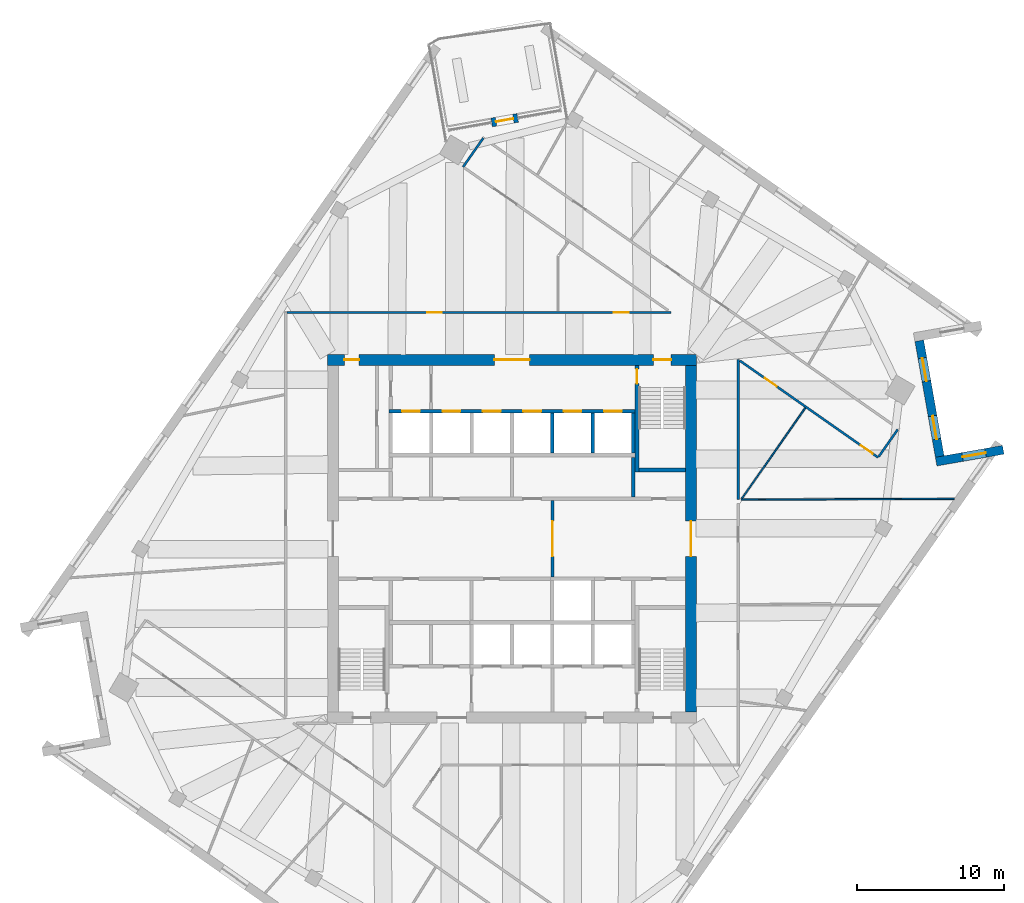
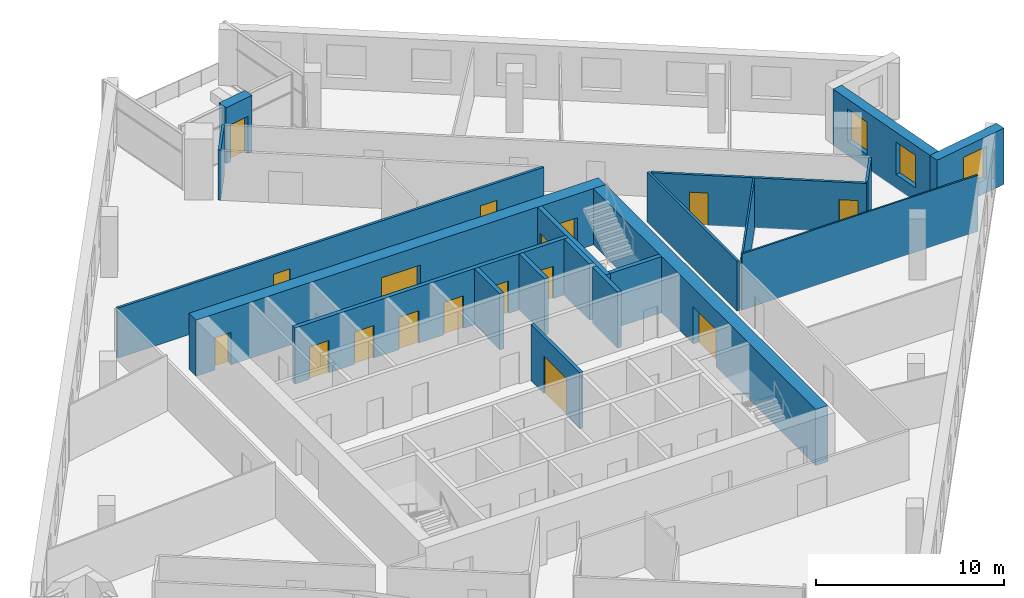
# One storey, part 10 of 13: 20 walls, 17 doors, 3 windows, 20 openings.
"""IFC4 building model written with IfcOpenShell, lengths in metres."""

from ifc_helpers import new_model, si_unit, direction, frame, frame_2d, origin, place, context, subcontext, project, spatial, rectangle, extrude, material, layer, layer_set, type_object, element, fill, save


model = new_model("IFC4")

# Units and contexts
model_context = context("Model", 3, precision=1e-05, world=origin(), true_north=direction((0.0, 1.0)))
body_context = subcontext(model_context, "Body", "Model", "MODEL_VIEW")
ifc_project = project(units=[si_unit("LENGTHUNIT", "METRE"), si_unit("AREAUNIT", "SQUARE_METRE"), si_unit("VOLUMEUNIT", "CUBIC_METRE"), si_unit("PLANEANGLEUNIT", "RADIAN"), si_unit("MASSUNIT", "GRAM", prefix="KILO")], contexts=[model_context])

# Site, building, storey
site_placement = place(None, origin())
site = spatial("IfcSite", under=ifc_project, at=site_placement, CompositionType="ELEMENT")
building_placement = place(site_placement, origin())
building = spatial("IfcBuilding", under=site, at=building_placement, Name="Dilmun Exchange Tower", CompositionType="ELEMENT")
storey_placement = place(building_placement, frame((0.0, 0.0, 246.89990234375)))
storey = spatial("IfcBuildingStorey", under=building, at=storey_placement, Name="L58", CompositionType="ELEMENT", Elevation=246.89990234375)

# Wall, opening, door
ifc_material_1 = material(Name="Concrete C40/50", Category="concrete")
ifc_layer_1 = layer(ifc_material_1, 0.199951171875)
ifc_layer_set_1 = layer_set([ifc_layer_1], Name="Concrete C40/50")
wall_type_1 = type_object("IfcWallType", Name="Core partition wall 200", PredefinedType="PARTITIONING", material=ifc_layer_set_1)
wall_1_placement = place(storey_placement, frame((2.75, -2.594970703125, 0.0), z_axis=(0.0, 0.0, 1.0), x_axis=(0.0, 1.0, 0.0)))
wall_1 = element("IfcWall", 1, at=wall_1_placement, inside=storey, type_object=wall_type_1, Name="L58 core partition wall 12", PredefinedType="PARTITIONING", context=body_context, shape_type="SweptSolid", body=[
    extrude(rectangle(XDim=5.18994140625, YDim=0.199951171875, at=frame_2d((2.594970703125, 0.0))), origin(), (0.0, 0.0, 1.0), 3.64013671875),
])
opening_1_placement = place(wall_1_placement, frame((1.39501953125, 0.0, 0.0)))
opening_1 = element("IfcOpeningElement", 2, at=opening_1_placement, cuts=wall_1, Name="Opening CD1", PredefinedType="OPENING", context=body_context, shape_type="SweptSolid", body=[
    extrude(rectangle(XDim=2.39990234375, YDim=2.39990234375, at=frame_2d((1.199951171875, 1.199951171875))), frame((0.0, 0.10986328125, 0.0), z_axis=(0.0, -1.0, 0.0), x_axis=(1.0, 0.0, 0.0)), (0.0, 0.0, 1.0), 0.219970703125),
])
ifc_material_2 = material(Name="Fire-rated steel door set", Category="steel")
door_type_1 = type_object("IfcDoorType", Name="Core lobby door 2400x2400", OperationType="DOUBLE_DOOR_DOUBLE_SWING", PredefinedType="DOOR", material=ifc_material_2)
door_1_placement = place(opening_1_placement, origin())
door_1 = element("IfcDoor", 3, at=door_1_placement, inside=storey, type_object=door_type_1, Name="L58 door Lift lobby east", OperationType="SINGLE_SWING_LEFT", OverallHeight=2.39990234375, OverallWidth=2.39990234375, PredefinedType="DOOR", context=body_context, shape_type="SweptSolid", body=[
    extrude(rectangle(XDim=2.39990234375, YDim=2.39990234375, at=frame_2d((1.199951171875, 1.199951171875))), frame((0.0, 0.02490234375, 0.0), z_axis=(0.0, -1.0, 0.0), x_axis=(1.0, 0.0, 0.0)), (0.0, 0.0, 1.0), 0.050048828125),
])
fill(opening_1, door_1)

# Wall
ifc_layer_2 = layer(ifc_material_1, 0.25)
ifc_layer_set_2 = layer_set([ifc_layer_2], Name="Concrete C40/50")
wall_type_2 = type_object("IfcWallType", Name="Core partition wall 250", PredefinedType="PARTITIONING", material=ifc_layer_set_2)
wall_2_placement = place(storey_placement, frame((8.25, 2.85498046875, 0.0), z_axis=(0.0, 0.0, 1.0), x_axis=(0.0, 1.0, 0.0)))
element("IfcWall", 4, at=wall_2_placement, inside=storey, type_object=wall_type_2, Name="L58 core partition wall 17", PredefinedType="PARTITIONING", context=body_context, shape_type="SweptSolid", body=[
    extrude(rectangle(XDim=2.68994140625, YDim=0.25, at=frame_2d((1.344970703125, 0.0))), origin(), (0.0, 0.0, 1.0), 3.64013671875),
])

# Wall, openings, doors
ifc_material_3 = material(Name="Concrete C50/60", Category="concrete")
ifc_layer_3 = layer(ifc_material_3, 0.75)
ifc_layer_set_3 = layer_set([ifc_layer_3], Name="Concrete C50/60")
wall_type_3 = type_object("IfcWallType", Name="Core shear wall 750 Concrete C50/60", PredefinedType="SHEAR", material=ifc_layer_set_3)
wall_3_placement = place(storey_placement, frame((-12.550048828125, 12.175048828125, 0.0), z_axis=(0.0, 0.0, 1.0), x_axis=(1.0, 0.0, 0.0)))
wall_3 = element("IfcWall", 5, at=wall_3_placement, inside=storey, type_object=wall_type_3, Name="L58 core shear wall N", PredefinedType="SHEAR", context=body_context, shape_type="SweptSolid", body=[
    extrude(rectangle(XDim=25.10009765625, YDim=0.75, at=frame_2d((12.550048828125, 0.0))), origin(), (0.0, 0.0, 1.0), 3.64013671875),
])
opening_2_placement = place(wall_3_placement, frame((11.35009765625, 0.0, 0.0)))
opening_2 = element("IfcOpeningElement", 6, at=opening_2_placement, cuts=wall_3, Name="Opening CD1", PredefinedType="OPENING", context=body_context, shape_type="SweptSolid", body=[
    extrude(rectangle(XDim=2.39990234375, YDim=2.39990234375, at=frame_2d((1.199951171875, 1.199951171875))), frame((0.0, 0.385009765625, 0.0), z_axis=(0.0, -1.0, 0.0), x_axis=(1.0, 0.0, 0.0)), (0.0, 0.0, 1.0), 0.77001953125),
])
opening_3_placement = place(wall_3_placement, frame((22.175048828125, 0.0, 0.0)))
opening_3 = element("IfcOpeningElement", 7, at=opening_3_placement, cuts=wall_3, Name="Opening CD3", PredefinedType="OPENING", context=body_context, shape_type="SweptSolid", body=[
    extrude(rectangle(XDim=1.199951171875, YDim=2.10009765625, at=frame_2d((0.60009765625, 1.050048828125))), frame((0.0, 0.385009765625, 0.0), z_axis=(0.0, -1.0, 0.0), x_axis=(1.0, 0.0, 0.0)), (0.0, 0.0, 1.0), 0.77001953125),
])
opening_4_placement = place(wall_3_placement, frame((1.14990234375, 0.0, 0.0)))
opening_4 = element("IfcOpeningElement", 8, at=opening_4_placement, cuts=wall_3, Name="Opening CD4", PredefinedType="OPENING", context=body_context, shape_type="SweptSolid", body=[
    extrude(rectangle(XDim=1.0, YDim=2.10009765625, at=frame_2d((0.5, 1.050048828125))), frame((0.0, 0.385009765625, 0.0), z_axis=(0.0, -1.0, 0.0), x_axis=(1.0, 0.0, 0.0)), (0.0, 0.0, 1.0), 0.77001953125),
])
door_2_placement = place(opening_2_placement, origin())
door_2 = element("IfcDoor", 9, at=door_2_placement, inside=storey, type_object=door_type_1, Name="L58 door North lift lobby", OperationType="SINGLE_SWING_LEFT", OverallHeight=2.39990234375, OverallWidth=2.39990234375, PredefinedType="DOOR", context=body_context, shape_type="SweptSolid", body=[
    extrude(rectangle(XDim=2.39990234375, YDim=2.39990234375, at=frame_2d((1.199951171875, 1.199951171875))), frame((0.0, 0.02490234375, 0.0), z_axis=(0.0, -1.0, 0.0), x_axis=(1.0, 0.0, 0.0)), (0.0, 0.0, 1.0), 0.050048828125),
])
fill(opening_2, door_2)
door_type_2 = type_object("IfcDoorType", Name="Core room door 1000x2100", OperationType="SINGLE_SWING_LEFT", PredefinedType="DOOR", material=ifc_material_2)
door_3_placement = place(opening_4_placement, origin())
door_3 = element("IfcDoor", 10, at=door_3_placement, inside=storey, type_object=door_type_2, Name="L58 door North-west core rooms", OperationType="SINGLE_SWING_LEFT", OverallHeight=2.10009765625, OverallWidth=1.0, PredefinedType="DOOR", context=body_context, shape_type="SweptSolid", body=[
    extrude(rectangle(XDim=1.0, YDim=2.10009765625, at=frame_2d((0.5, 1.050048828125))), frame((0.0, 0.02490234375, 0.0), z_axis=(0.0, -1.0, 0.0), x_axis=(1.0, 0.0, 0.0)), (0.0, 0.0, 1.0), 0.050048828125),
])
fill(opening_4, door_3)
door_type_3 = type_object("IfcDoorType", Name="Stair exit door 1200x2100", OperationType="SINGLE_SWING_LEFT", PredefinedType="DOOR", material=ifc_material_2)
door_4_placement = place(opening_3_placement, origin())
door_4 = element("IfcDoor", 11, at=door_4_placement, inside=storey, type_object=door_type_3, Name="L58 door Stair ST1", OperationType="SINGLE_SWING_LEFT", OverallHeight=2.10009765625, OverallWidth=1.199951171875, PredefinedType="DOOR", context=body_context, shape_type="SweptSolid", body=[
    extrude(rectangle(XDim=1.199951171875, YDim=2.10009765625, at=frame_2d((0.60009765625, 1.050048828125))), frame((0.0, 0.02490234375, 0.0), z_axis=(0.0, -1.0, 0.0), x_axis=(1.0, 0.0, 0.0)), (0.0, 0.0, 1.0), 0.050048828125),
])
fill(opening_3, door_4)

# Wall, opening, door
wall_4_placement = place(storey_placement, frame((12.175048828125, -11.800048828125, 0.0), z_axis=(0.0, 0.0, 1.0), x_axis=(0.0, 1.0, 0.0)))
wall_4 = element("IfcWall", 12, at=wall_4_placement, inside=storey, type_object=wall_type_3, Name="L58 core shear wall E", PredefinedType="SHEAR", context=body_context, shape_type="SweptSolid", body=[
    extrude(rectangle(XDim=23.60009765625, YDim=0.75, at=frame_2d((11.800048828125, 0.0))), origin(), (0.0, 0.0, 1.0), 3.64013671875),
])
opening_5_placement = place(wall_4_placement, frame((10.60009765625, 0.0, 0.0)))
opening_5 = element("IfcOpeningElement", 13, at=opening_5_placement, cuts=wall_4, Name="Opening CD1", PredefinedType="OPENING", context=body_context, shape_type="SweptSolid", body=[
    extrude(rectangle(XDim=2.39990234375, YDim=2.39990234375, at=frame_2d((1.199951171875, 1.199951171875))), frame((0.0, 0.385009765625, 0.0), z_axis=(0.0, -1.0, 0.0), x_axis=(1.0, 0.0, 0.0)), (0.0, 0.0, 1.0), 0.77001953125),
])
door_5_placement = place(opening_5_placement, origin())
door_5 = element("IfcDoor", 14, at=door_5_placement, inside=storey, type_object=door_type_1, Name="L58 door Central lift lobby", OperationType="SINGLE_SWING_LEFT", OverallHeight=2.39990234375, OverallWidth=2.39990234375, PredefinedType="DOOR", context=body_context, shape_type="SweptSolid", body=[
    extrude(rectangle(XDim=2.39990234375, YDim=2.39990234375, at=frame_2d((1.199951171875, 1.199951171875))), frame((0.0, 0.02490234375, 0.0), z_axis=(0.0, -1.0, 0.0), x_axis=(1.0, 0.0, 0.0)), (0.0, 0.0, 1.0), 0.050048828125),
])
fill(opening_5, door_5)

# Wall, openings, doors
ifc_material_4 = material(Name="Corridor wall 150")
ifc_layer_4 = layer(ifc_material_4, 0.14990234375)
ifc_layer_set_4 = layer_set([ifc_layer_4], Name="Corridor wall 150")
wall_type_4 = type_object("IfcWallType", Name="Corridor wall 150", PredefinedType="PARTITIONING", material=ifc_layer_set_4)
wall_5_placement = place(storey_placement, frame((-15.324951171875, 15.39990234375, 0.0), z_axis=(0.0, 0.0, 1.0), x_axis=(1.0, 0.0, 0.0)))
wall_5 = element("IfcWall", 15, at=wall_5_placement, inside=storey, type_object=wall_type_4, Name="Corridor wall", PredefinedType="PARTITIONING", context=body_context, shape_type="SweptSolid", body=[
    extrude(rectangle(XDim=26.140869140625, YDim=0.14990234375, at=frame_2d((13.0703125, 0.0))), origin(), (0.0, 0.0, 1.0), 3.239990234375),
])
opening_6_placement = place(wall_5_placement, frame((9.550048828125, 0.0, 0.0)))
opening_6 = element("IfcOpeningElement", 16, at=opening_6_placement, cuts=wall_5, Name="Opening TF57-D08", PredefinedType="OPENING", context=body_context, shape_type="SweptSolid", body=[
    extrude(rectangle(XDim=1.0, YDim=2.10009765625, at=frame_2d((0.5, 1.050048828125))), frame((0.0, 0.0849609375, 0.0), z_axis=(0.0, -1.0, 0.0), x_axis=(1.0, 0.0, 0.0)), (0.0, 0.0, 1.0), 0.169921875),
])
opening_7_placement = place(wall_5_placement, frame((22.2548828125, 0.0, 0.0)))
opening_7 = element("IfcOpeningElement", 17, at=opening_7_placement, cuts=wall_5, Name="Opening TF57-D12", PredefinedType="OPENING", context=body_context, shape_type="SweptSolid", body=[
    extrude(rectangle(XDim=1.0, YDim=2.10009765625, at=frame_2d((0.5, 1.050048828125))), frame((0.0, 0.0849609375, 0.0), z_axis=(0.0, -1.0, 0.0), x_axis=(1.0, 0.0, 0.0)), (0.0, 0.0, 1.0), 0.169921875),
])
ifc_material_5 = material(Name="Fire door 1000 x 2100")
door_type_4 = type_object("IfcDoorType", Name="Fire door 1000 x 2100", OperationType="NOTDEFINED", PredefinedType="DOOR", material=ifc_material_5)
door_6_placement = place(opening_6_placement, origin())
door_6 = element("IfcDoor", 18, at=door_6_placement, inside=storey, type_object=door_type_4, Name="Door TF57-D08", OperationType="SINGLE_SWING_RIGHT", OverallHeight=2.10009765625, OverallWidth=1.0, PredefinedType="DOOR", context=body_context, shape_type="SweptSolid", body=[
    extrude(rectangle(XDim=1.0, YDim=2.10009765625, at=frame_2d((0.5, 1.050048828125))), frame((0.0, 0.02490234375, 0.0), z_axis=(0.0, -1.0, 0.0), x_axis=(1.0, 0.0, 0.0)), (0.0, 0.0, 1.0), 0.050048828125),
])
fill(opening_6, door_6)
door_7_placement = place(opening_7_placement, origin())
door_7 = element("IfcDoor", 19, at=door_7_placement, inside=storey, type_object=door_type_4, Name="Door TF57-D12", OperationType="SINGLE_SWING_LEFT", OverallHeight=2.10009765625, OverallWidth=1.0, PredefinedType="DOOR", context=body_context, shape_type="SweptSolid", body=[
    extrude(rectangle(XDim=1.0, YDim=2.10009765625, at=frame_2d((0.5, 1.050048828125))), frame((0.0, 0.02490234375, 0.0), z_axis=(0.0, -1.0, 0.0), x_axis=(1.0, 0.0, 0.0)), (0.0, 0.0, 1.0), 0.050048828125),
])
fill(opening_7, door_7)

# Walls
wall_6_placement = place(storey_placement, frame((-3.326904296875, 25.302978515625, 0.0), z_axis=(0.0, 0.0, 1.0), x_axis=(0.573387234428, 0.819284492344, 0.0)))
element("IfcWall", 20, at=wall_6_placement, inside=storey, type_object=wall_type_4, Name="Corridor wall", PredefinedType="PARTITIONING", context=body_context, shape_type="SweptSolid", body=[
    extrude(rectangle(XDim=2.399658203125, YDim=0.14990234375, at=frame_2d((1.19970703125, 0.0))), origin(), (0.0, 0.0, 1.0), 3.239990234375),
])
wall_7_placement = place(storey_placement, frame((15.39990234375, 2.6640625, 0.0), z_axis=(0.0, 0.0, 1.0), x_axis=(0.0, 1.0, 0.0)))
element("IfcWall", 21, at=wall_7_placement, inside=storey, type_object=wall_type_4, Name="Corridor wall", PredefinedType="PARTITIONING", context=body_context, shape_type="SweptSolid", body=[
    extrude(rectangle(XDim=9.52587890625, YDim=0.14990234375, at=frame_2d((4.762939453125, 0.0))), origin(), (0.0, 0.0, 1.0), 3.239990234375),
])

# Wall, openings, doors
wall_8_placement = place(storey_placement, frame((15.51806640625, 12.107421875, 0.0), z_axis=(0.0, 0.0, 1.0), x_axis=(0.819171924474, -0.573548043457, 0.0)))
wall_8 = element("IfcWall", 22, at=wall_8_placement, inside=storey, type_object=wall_type_4, Name="Corridor wall", PredefinedType="PARTITIONING", context=body_context, shape_type="SweptSolid", body=[
    extrude(rectangle(XDim=11.47119140625, YDim=0.14990234375, at=frame_2d((5.735595703125, 0.0))), origin(), (0.0, 0.0, 1.0), 3.239990234375),
])
opening_8_placement = place(wall_8_placement, frame((2.050048828125, 0.0, 0.0)))
opening_8 = element("IfcOpeningElement", 23, at=opening_8_placement, cuts=wall_8, Name="Opening TF57-D15", PredefinedType="OPENING", context=body_context, shape_type="SweptSolid", body=[
    extrude(rectangle(XDim=1.0, YDim=2.10009765625, at=frame_2d((0.5, 1.050048828125))), frame((0.0, 0.0849609375, 0.0), z_axis=(0.0, -1.0, 0.0), x_axis=(1.0, 0.0, 0.0)), (0.0, 0.0, 1.0), 0.169921875),
])
opening_9_placement = place(wall_8_placement, frame((10.027099609375, 0.0, 0.0)))
opening_9 = element("IfcOpeningElement", 24, at=opening_9_placement, cuts=wall_8, Name="Opening TF57-D19", PredefinedType="OPENING", context=body_context, shape_type="SweptSolid", body=[
    extrude(rectangle(XDim=1.0, YDim=2.10009765625, at=frame_2d((0.5, 1.050048828125))), frame((0.0, 0.0849609375, 0.0), z_axis=(0.0, -1.0, 0.0), x_axis=(1.0, 0.0, 0.0)), (0.0, 0.0, 1.0), 0.169921875),
])
door_8_placement = place(opening_8_placement, frame((1.0, 0.0, 0.0), z_axis=(0.0, 0.0, 1.0), x_axis=(-1.0, 0.0, 0.0)))
door_8 = element("IfcDoor", 25, at=door_8_placement, inside=storey, type_object=door_type_4, Name="Door TF57-D15", OperationType="SINGLE_SWING_LEFT", OverallHeight=2.10009765625, OverallWidth=1.0, PredefinedType="DOOR", context=body_context, shape_type="SweptSolid", body=[
    extrude(rectangle(XDim=1.0, YDim=2.10009765625, at=frame_2d((0.5, 1.050048828125))), frame((0.0, 0.02490234375, 0.0), z_axis=(0.0, -1.0, 0.0), x_axis=(1.0, 0.0, 0.0)), (0.0, 0.0, 1.0), 0.050048828125),
])
fill(opening_8, door_8)
door_9_placement = place(opening_9_placement, frame((1.0, 0.0, 0.0), z_axis=(0.0, 0.0, 1.0), x_axis=(-1.0, 0.0, 0.0)))
door_9 = element("IfcDoor", 26, at=door_9_placement, inside=storey, type_object=door_type_4, Name="Door TF57-D19", OperationType="SINGLE_SWING_LEFT", OverallHeight=2.10009765625, OverallWidth=1.0, PredefinedType="DOOR", context=body_context, shape_type="SweptSolid", body=[
    extrude(rectangle(XDim=1.0, YDim=2.10009765625, at=frame_2d((0.5, 1.050048828125))), frame((0.0, 0.02490234375, 0.0), z_axis=(0.0, -1.0, 0.0), x_axis=(1.0, 0.0, 0.0)), (0.0, 0.0, 1.0), 0.050048828125),
])
fill(opening_9, door_9)

# Wall
wall_9_placement = place(storey_placement, frame((24.9580078125, 5.58935546875, 0.0), z_axis=(0.0, 0.0, 1.0), x_axis=(0.573680754751, 0.819078989859, 0.0)))
element("IfcWall", 27, at=wall_9_placement, inside=storey, type_object=wall_type_4, Name="Corridor wall", PredefinedType="PARTITIONING", context=body_context, shape_type="SweptSolid", body=[
    extrude(rectangle(XDim=2.25048828125, YDim=0.14990234375, at=frame_2d((1.125244140625, 0.0))), origin(), (0.0, 0.0, 1.0), 3.239990234375),
])

# Wall, openings, doors
ifc_layer_5 = layer(ifc_material_1, 0.25)
ifc_layer_set_5 = layer_set([ifc_layer_5], Name="Concrete C40/50")
wall_type_5 = type_object("IfcWallType", Name="Lift shaft wall 250", PredefinedType="SOLIDWALL", material=ifc_layer_set_5)
wall_10_placement = place(storey_placement, frame((-8.375, 8.675048828125, 0.0), z_axis=(0.0, 0.0, 1.0), x_axis=(1.0, 0.0, 0.0)))
wall_10 = element("IfcWall", 28, at=wall_10_placement, inside=storey, type_object=wall_type_5, Name="L58 lift shaft front wall N2", PredefinedType="SOLIDWALL", context=body_context, shape_type="SweptSolid", body=[
    extrude(rectangle(XDim=16.75, YDim=0.25, at=frame_2d((8.375, 0.0))), origin(), (0.0, 0.0, 1.0), 3.64013671875),
])
opening_10_placement = place(wall_10_placement, frame((0.89990234375, 0.0, 0.0)))
opening_10 = element("IfcOpeningElement", 29, at=opening_10_placement, cuts=wall_10, Name="Opening LD", PredefinedType="OPENING", context=body_context, shape_type="SweptSolid", body=[
    extrude(rectangle(XDim=1.199951171875, YDim=2.10009765625, at=frame_2d((0.60009765625, 1.050048828125))), frame((0.0, 0.135009765625, 0.0), z_axis=(0.0, -1.0, 0.0), x_axis=(1.0, 0.0, 0.0)), (0.0, 0.0, 1.0), 0.27001953125),
])
opening_11_placement = place(wall_10_placement, frame((3.64990234375, 0.0, 0.0)))
opening_11 = element("IfcOpeningElement", 30, at=opening_11_placement, cuts=wall_10, Name="Opening LD", PredefinedType="OPENING", context=body_context, shape_type="SweptSolid", body=[
    extrude(rectangle(XDim=1.199951171875, YDim=2.10009765625, at=frame_2d((0.60009765625, 1.050048828125))), frame((0.0, 0.135009765625, 0.0), z_axis=(0.0, -1.0, 0.0), x_axis=(1.0, 0.0, 0.0)), (0.0, 0.0, 1.0), 0.27001953125),
])
opening_12_placement = place(wall_10_placement, frame((6.39990234375, 0.0, 0.0)))
opening_12 = element("IfcOpeningElement", 31, at=opening_12_placement, cuts=wall_10, Name="Opening LD", PredefinedType="OPENING", context=body_context, shape_type="SweptSolid", body=[
    extrude(rectangle(XDim=1.199951171875, YDim=2.10009765625, at=frame_2d((0.60009765625, 1.050048828125))), frame((0.0, 0.135009765625, 0.0), z_axis=(0.0, -1.0, 0.0), x_axis=(1.0, 0.0, 0.0)), (0.0, 0.0, 1.0), 0.27001953125),
])
opening_13_placement = place(wall_10_placement, frame((9.14990234375, 0.0, 0.0)))
opening_13 = element("IfcOpeningElement", 32, at=opening_13_placement, cuts=wall_10, Name="Opening LD", PredefinedType="OPENING", context=body_context, shape_type="SweptSolid", body=[
    extrude(rectangle(XDim=1.199951171875, YDim=2.10009765625, at=frame_2d((0.60009765625, 1.050048828125))), frame((0.0, 0.135009765625, 0.0), z_axis=(0.0, -1.0, 0.0), x_axis=(1.0, 0.0, 0.0)), (0.0, 0.0, 1.0), 0.27001953125),
])
opening_14_placement = place(wall_10_placement, frame((11.89990234375, 0.0, 0.0)))
opening_14 = element("IfcOpeningElement", 33, at=opening_14_placement, cuts=wall_10, Name="Opening LD", PredefinedType="OPENING", context=body_context, shape_type="SweptSolid", body=[
    extrude(rectangle(XDim=1.199951171875, YDim=2.10009765625, at=frame_2d((0.60009765625, 1.050048828125))), frame((0.0, 0.135009765625, 0.0), z_axis=(0.0, -1.0, 0.0), x_axis=(1.0, 0.0, 0.0)), (0.0, 0.0, 1.0), 0.27001953125),
])
opening_15_placement = place(wall_10_placement, frame((14.64990234375, 0.0, 0.0)))
opening_15 = element("IfcOpeningElement", 34, at=opening_15_placement, cuts=wall_10, Name="Opening LD", PredefinedType="OPENING", context=body_context, shape_type="SweptSolid", body=[
    extrude(rectangle(XDim=1.199951171875, YDim=2.10009765625, at=frame_2d((0.60009765625, 1.050048828125))), frame((0.0, 0.135009765625, 0.0), z_axis=(0.0, -1.0, 0.0), x_axis=(1.0, 0.0, 0.0)), (0.0, 0.0, 1.0), 0.27001953125),
])
door_type_5 = type_object("IfcDoorType", Name="Lift landing door 1200x2100", OperationType="DOUBLE_DOOR_SLIDING", PredefinedType="DOOR", material=ifc_material_2)
door_10_placement = place(opening_10_placement, origin())
door_10 = element("IfcDoor", 35, at=door_10_placement, inside=storey, type_object=door_type_5, Name="L58 landing door HR1", OperationType="DOUBLE_DOOR_SLIDING", OverallHeight=2.10009765625, OverallWidth=1.199951171875, PredefinedType="DOOR", context=body_context, shape_type="SweptSolid", body=[
    extrude(rectangle(XDim=1.199951171875, YDim=2.10009765625, at=frame_2d((0.60009765625, 1.050048828125))), frame((0.0, 0.02490234375, 0.0), z_axis=(0.0, -1.0, 0.0), x_axis=(1.0, 0.0, 0.0)), (0.0, 0.0, 1.0), 0.050048828125),
])
fill(opening_10, door_10)
door_11_placement = place(opening_11_placement, origin())
door_11 = element("IfcDoor", 36, at=door_11_placement, inside=storey, type_object=door_type_5, Name="L58 landing door HR2", OperationType="DOUBLE_DOOR_SLIDING", OverallHeight=2.10009765625, OverallWidth=1.199951171875, PredefinedType="DOOR", context=body_context, shape_type="SweptSolid", body=[
    extrude(rectangle(XDim=1.199951171875, YDim=2.10009765625, at=frame_2d((0.60009765625, 1.050048828125))), frame((0.0, 0.02490234375, 0.0), z_axis=(0.0, -1.0, 0.0), x_axis=(1.0, 0.0, 0.0)), (0.0, 0.0, 1.0), 0.050048828125),
])
fill(opening_11, door_11)
door_12_placement = place(opening_12_placement, origin())
door_12 = element("IfcDoor", 37, at=door_12_placement, inside=storey, type_object=door_type_5, Name="L58 landing door HR3", OperationType="DOUBLE_DOOR_SLIDING", OverallHeight=2.10009765625, OverallWidth=1.199951171875, PredefinedType="DOOR", context=body_context, shape_type="SweptSolid", body=[
    extrude(rectangle(XDim=1.199951171875, YDim=2.10009765625, at=frame_2d((0.60009765625, 1.050048828125))), frame((0.0, 0.02490234375, 0.0), z_axis=(0.0, -1.0, 0.0), x_axis=(1.0, 0.0, 0.0)), (0.0, 0.0, 1.0), 0.050048828125),
])
fill(opening_12, door_12)
door_13_placement = place(opening_13_placement, origin())
door_13 = element("IfcDoor", 38, at=door_13_placement, inside=storey, type_object=door_type_5, Name="L58 landing door HR4", OperationType="DOUBLE_DOOR_SLIDING", OverallHeight=2.10009765625, OverallWidth=1.199951171875, PredefinedType="DOOR", context=body_context, shape_type="SweptSolid", body=[
    extrude(rectangle(XDim=1.199951171875, YDim=2.10009765625, at=frame_2d((0.60009765625, 1.050048828125))), frame((0.0, 0.02490234375, 0.0), z_axis=(0.0, -1.0, 0.0), x_axis=(1.0, 0.0, 0.0)), (0.0, 0.0, 1.0), 0.050048828125),
])
fill(opening_13, door_13)
door_14_placement = place(opening_14_placement, origin())
door_14 = element("IfcDoor", 39, at=door_14_placement, inside=storey, type_object=door_type_5, Name="L58 landing door HR5", OperationType="DOUBLE_DOOR_SLIDING", OverallHeight=2.10009765625, OverallWidth=1.199951171875, PredefinedType="DOOR", context=body_context, shape_type="SweptSolid", body=[
    extrude(rectangle(XDim=1.199951171875, YDim=2.10009765625, at=frame_2d((0.60009765625, 1.050048828125))), frame((0.0, 0.02490234375, 0.0), z_axis=(0.0, -1.0, 0.0), x_axis=(1.0, 0.0, 0.0)), (0.0, 0.0, 1.0), 0.050048828125),
])
fill(opening_14, door_14)
door_15_placement = place(opening_15_placement, origin())
door_15 = element("IfcDoor", 40, at=door_15_placement, inside=storey, type_object=door_type_5, Name="L58 landing door HR6", OperationType="DOUBLE_DOOR_SLIDING", OverallHeight=2.10009765625, OverallWidth=1.199951171875, PredefinedType="DOOR", context=body_context, shape_type="SweptSolid", body=[
    extrude(rectangle(XDim=1.199951171875, YDim=2.10009765625, at=frame_2d((0.60009765625, 1.050048828125))), frame((0.0, 0.02490234375, 0.0), z_axis=(0.0, -1.0, 0.0), x_axis=(1.0, 0.0, 0.0)), (0.0, 0.0, 1.0), 0.050048828125),
])
fill(opening_15, door_15)

# Walls
for number, where, z_axis, x_axis, name in (
    (41, (2.75, 5.85009765625, 0.0), (0.0, 0.0, 1.0), (0.0, 1.0, 0.0), "L58 lift shaft divider N24"),
    (42, (5.5, 5.85009765625, 0.0), (0.0, 0.0, 1.0), (0.0, 1.0, 0.0), "L58 lift shaft divider N25"),
    (43, (8.25, 5.85009765625, 0.0), (0.0, 0.0, 1.0), (0.0, 1.0, 0.0), "L58 lift shaft divider N26"),
):
    element("IfcWall", number, at=place(storey_placement, frame(where, z_axis=z_axis, x_axis=x_axis)), inside=storey, type_object=wall_type_5, Name=name, PredefinedType="SOLIDWALL", context=body_context, shape_type="SweptSolid", body=[
        extrude(rectangle(XDim=2.699951171875, YDim=0.25, at=frame_2d((1.35009765625, 0.0))), origin(), (0.0, 0.0, 1.0), 3.64013671875),
    ])
ifc_material_6 = material(Name="Partition 100")
ifc_layer_6 = layer(ifc_material_6, 0.10009765625)
ifc_layer_set_6 = layer_set([ifc_layer_6], Name="Partition 100")
wall_type_6 = type_object("IfcWallType", Name="Partition 100", PredefinedType="PARTITIONING", material=ifc_layer_set_6)
wall_11_placement = place(storey_placement, frame((15.593017578125, 2.6650390625, 0.0), z_axis=(0.0, 0.0, 1.0), x_axis=(0.999993270933, 0.003668526741, 0.0)))
element("IfcWall", 44, at=wall_11_placement, inside=storey, type_object=wall_type_6, Name="Partition", PredefinedType="PARTITIONING", context=body_context, shape_type="SweptSolid", body=[
    extrude(rectangle(XDim=14.5078125, YDim=0.10009765625, at=frame_2d((7.25390625, 0.0))), origin(), (0.0, 0.0, 1.0), 3.64013671875),
])
wall_12_placement = place(storey_placement, frame((15.648193359375, 2.743896484375, 0.0), z_axis=(0.0, 0.0, 1.0), x_axis=(0.57357562998, 0.819152608915, 0.0)))
element("IfcWall", 45, at=wall_12_placement, inside=storey, type_object=wall_type_6, Name="Partition", PredefinedType="PARTITIONING", context=body_context, shape_type="SweptSolid", body=[
    extrude(rectangle(XDim=7.520751953125, YDim=0.10009765625, at=frame_2d((3.76025390625, 0.0))), origin(), (0.0, 0.0, 1.0), 3.239990234375),
])

# Wall, opening, window
ifc_material_7 = material(Name="Precast concrete C50/60", Category="concrete")
ifc_layer_7 = layer(ifc_material_7, 0.60009765625)
ifc_layer_set_7 = layer_set([ifc_layer_7], Name="Precast concrete C50/60")
wall_type_7 = type_object("IfcWallType", Name="Precast stone-clad wall 600", PredefinedType="STANDARD", material=ifc_layer_set_7)
wall_13_placement = place(storey_placement, frame((33.4287109375, 6.051513671875, 0.0), z_axis=(0.0, 0.0, 1.0), x_axis=(-0.984808997794, -0.173641118013, 0.0)))
wall_13 = element("IfcWall", 46, at=wall_13_placement, inside=storey, type_object=wall_type_7, Name="Facade wall L58-12", PredefinedType="STANDARD", context=body_context, shape_type="SweptSolid", body=[
    extrude(rectangle(XDim=4.635498046875, YDim=0.60009765625, at=frame_2d((2.31787109375, 0.0))), origin(), (0.0, 0.0, 1.0), 3.64013671875),
])
opening_16_placement = place(wall_13_placement, frame((1.2177734375, 0.0, 0.89990234375)))
opening_16 = element("IfcOpeningElement", 47, at=opening_16_placement, cuts=wall_13, Name="Opening W160-210", PredefinedType="OPENING", context=body_context, shape_type="SweptSolid", body=[
    extrude(rectangle(XDim=1.60009765625, YDim=2.10009765625, at=frame_2d((0.800048828125, 1.050048828125))), frame((0.0, 0.31005859375, 0.0), z_axis=(0.0, -1.0, 0.0), x_axis=(1.0, 0.0, 0.0)), (0.0, 0.0, 1.0), 0.6201171875),
])
ifc_material_8 = material(Name="Clear low-emissivity glass in aluminium frame", Category="aluminium")
window_type = type_object("IfcWindowType", Name="Punched window 1600 x 2100", PartitioningType="DOUBLE_PANEL_VERTICAL", PredefinedType="WINDOW", material=ifc_material_8)
window_1_placement = place(opening_16_placement, origin())
window_1 = element("IfcWindow", 48, at=window_1_placement, inside=storey, type_object=window_type, Name="Window 13.1", OverallHeight=2.10009765625, OverallWidth=1.60009765625, PartitioningType="SINGLE_PANEL", PredefinedType="WINDOW", context=body_context, shape_type="SweptSolid", body=[
    extrude(rectangle(XDim=1.60009765625, YDim=2.10009765625, at=frame_2d((0.800048828125, 1.050048828125))), frame((0.0, 0.030029296875, 0.0), z_axis=(0.0, -1.0, 0.0), x_axis=(1.0, 0.0, 0.0)), (0.0, 0.0, 1.0), 0.06005859375),
])
fill(opening_16, window_1)

# Wall, openings, windows
wall_14_placement = place(storey_placement, frame((29.10693359375, 5.593994140625, 0.0), z_axis=(0.0, 0.0, 1.0), x_axis=(-0.173640837858, 0.98480904719, 0.0)))
wall_14 = element("IfcWall", 49, at=wall_14_placement, inside=storey, type_object=wall_type_7, Name="Facade wall L58-13", PredefinedType="STANDARD", context=body_context, shape_type="SweptSolid", body=[
    extrude(rectangle(XDim=8.000244140625, YDim=0.60009765625, at=frame_2d((4.0, 0.0))), origin(), (0.0, 0.0, 1.0), 3.64013671875),
])
opening_17_placement = place(wall_14_placement, frame((1.199951171875, 0.0, 0.89990234375)))
opening_17 = element("IfcOpeningElement", 50, at=opening_17_placement, cuts=wall_14, Name="Opening W160-210", PredefinedType="OPENING", context=body_context, shape_type="SweptSolid", body=[
    extrude(rectangle(XDim=1.60009765625, YDim=2.10009765625, at=frame_2d((0.800048828125, 1.050048828125))), frame((0.0, 0.31005859375, 0.0), z_axis=(0.0, -1.0, 0.0), x_axis=(1.0, 0.0, 0.0)), (0.0, 0.0, 1.0), 0.6201171875),
])
opening_18_placement = place(wall_14_placement, frame((5.199951171875, 0.0, 0.89990234375)))
opening_18 = element("IfcOpeningElement", 51, at=opening_18_placement, cuts=wall_14, Name="Opening W160-210", PredefinedType="OPENING", context=body_context, shape_type="SweptSolid", body=[
    extrude(rectangle(XDim=1.60009765625, YDim=2.10009765625, at=frame_2d((0.800048828125, 1.050048828125))), frame((0.0, 0.31005859375, 0.0), z_axis=(0.0, -1.0, 0.0), x_axis=(1.0, 0.0, 0.0)), (0.0, 0.0, 1.0), 0.6201171875),
])
window_2_placement = place(opening_17_placement, origin())
window_2 = element("IfcWindow", 52, at=window_2_placement, inside=storey, type_object=window_type, Name="Window 14.1", OverallHeight=2.10009765625, OverallWidth=1.60009765625, PartitioningType="SINGLE_PANEL", PredefinedType="WINDOW", context=body_context, shape_type="SweptSolid", body=[
    extrude(rectangle(XDim=1.60009765625, YDim=2.10009765625, at=frame_2d((0.800048828125, 1.050048828125))), frame((0.0, 0.030029296875, 0.0), z_axis=(0.0, -1.0, 0.0), x_axis=(1.0, 0.0, 0.0)), (0.0, 0.0, 1.0), 0.06005859375),
])
fill(opening_17, window_2)
window_3_placement = place(opening_18_placement, origin())
window_3 = element("IfcWindow", 53, at=window_3_placement, inside=storey, type_object=window_type, Name="Window 14.2", OverallHeight=2.10009765625, OverallWidth=1.60009765625, PartitioningType="SINGLE_PANEL", PredefinedType="WINDOW", context=body_context, shape_type="SweptSolid", body=[
    extrude(rectangle(XDim=1.60009765625, YDim=2.10009765625, at=frame_2d((0.800048828125, 1.050048828125))), frame((0.0, 0.030029296875, 0.0), z_axis=(0.0, -1.0, 0.0), x_axis=(1.0, 0.0, 0.0)), (0.0, 0.0, 1.0), 0.06005859375),
])
fill(opening_18, window_3)

# Wall, opening, door
wall_15_placement = place(storey_placement, frame((0.3876953125, 28.638427734375, 0.0), z_axis=(0.0, 0.0, 1.0), x_axis=(-0.984814947176, -0.173607372591, 0.0)))
wall_15 = element("IfcWall", 54, at=wall_15_placement, inside=storey, type_object=wall_type_7, Name="Facade wall L58-01-D", PredefinedType="STANDARD", context=body_context, shape_type="SweptSolid", body=[
    extrude(rectangle(XDim=1.800048828125, YDim=0.60009765625, at=frame_2d((0.89990234375, 0.0))), origin(), (0.0, 0.0, 1.0), 3.64013671875),
])
opening_19_placement = place(wall_15_placement, frame((0.300048828125, 0.0, 0.0)))
opening_19 = element("IfcOpeningElement", 55, at=opening_19_placement, cuts=wall_15, Name="Opening GD-1", PredefinedType="OPENING", context=body_context, shape_type="SweptSolid", body=[
    extrude(rectangle(XDim=1.199951171875, YDim=2.39990234375, at=frame_2d((0.60009765625, 1.199951171875))), frame((0.0, 0.31005859375, 0.0), z_axis=(0.0, -1.0, 0.0), x_axis=(1.0, 0.0, 0.0)), (0.0, 0.0, 1.0), 0.6201171875),
])
door_type_6 = type_object("IfcDoorType", Name="Glazed garden door 1200 x 2400", OperationType="SINGLE_SWING_LEFT", PredefinedType="DOOR", material=ifc_material_8)
door_16_placement = place(opening_19_placement, origin())
door_16 = element("IfcDoor", 56, at=door_16_placement, inside=storey, type_object=door_type_6, Name="Garden terrace door", OperationType="SINGLE_SWING_LEFT", OverallHeight=2.39990234375, OverallWidth=1.199951171875, PredefinedType="DOOR", context=body_context, shape_type="SweptSolid", body=[
    extrude(rectangle(XDim=1.199951171875, YDim=2.39990234375, at=frame_2d((0.60009765625, 1.199951171875))), frame((0.0, 0.02490234375, 0.0), z_axis=(0.0, -1.0, 0.0), x_axis=(1.0, 0.0, 0.0)), (0.0, 0.0, 1.0), 0.050048828125),
])
fill(opening_19, door_16)

# Wall
ifc_layer_8 = layer(ifc_material_1, 0.25)
ifc_layer_set_8 = layer_set([ifc_layer_8], Name="Concrete C40/50")
wall_type_8 = type_object("IfcWallType", Name="Stair end wall 250", PredefinedType="SOLIDWALL", material=ifc_layer_set_8)
wall_16_placement = place(storey_placement, frame((8.64990234375, 4.675048828125, 0.0), z_axis=(0.0, 0.0, 1.0), x_axis=(1.0, 0.0, 0.0)))
element("IfcWall", 57, at=wall_16_placement, inside=storey, type_object=wall_type_8, Name="L58 ST1 far wall", PredefinedType="SOLIDWALL", context=body_context, shape_type="SweptSolid", body=[
    extrude(rectangle(XDim=3.150146484375, YDim=0.25, at=frame_2d((1.5751953125, 0.0))), origin(), (0.0, 0.0, 1.0), 3.64013671875),
])

# Wall, opening, door
ifc_layer_9 = layer(ifc_material_1, 0.27490234375)
ifc_layer_set_9 = layer_set([ifc_layer_9], Name="Concrete C40/50")
wall_type_9 = type_object("IfcWallType", Name="Stair wall 275", PredefinedType="SOLIDWALL", material=ifc_layer_set_9)
wall_17_placement = place(storey_placement, frame((8.512451171875, 4.550048828125, 0.0), z_axis=(0.0, 0.0, 1.0), x_axis=(0.0, 1.0, 0.0)))
wall_17 = element("IfcWall", 58, at=wall_17_placement, inside=storey, type_object=wall_type_9, Name="L58 ST1 wall to lift block", PredefinedType="SOLIDWALL", context=body_context, shape_type="SweptSolid", body=[
    extrude(rectangle(XDim=7.25, YDim=0.27490234375, at=frame_2d((3.625, 0.0))), origin(), (0.0, 0.0, 1.0), 3.64013671875),
])
opening_20_placement = place(wall_17_placement, frame((6.0, 0.0, 0.0)))
opening_20 = element("IfcOpeningElement", 59, at=opening_20_placement, cuts=wall_17, Name="Opening CD4", PredefinedType="OPENING", context=body_context, shape_type="SweptSolid", body=[
    extrude(rectangle(XDim=1.0, YDim=2.10009765625, at=frame_2d((0.5, 1.050048828125))), frame((0.0, 0.1474609375, 0.0), z_axis=(0.0, -1.0, 0.0), x_axis=(1.0, 0.0, 0.0)), (0.0, 0.0, 1.0), 0.294921875),
])
door_17_placement = place(opening_20_placement, origin())
door_17 = element("IfcDoor", 60, at=door_17_placement, inside=storey, type_object=door_type_2, Name="L58 door ST1 from lobby", OperationType="SINGLE_SWING_LEFT", OverallHeight=2.10009765625, OverallWidth=1.0, PredefinedType="DOOR", context=body_context, shape_type="SweptSolid", body=[
    extrude(rectangle(XDim=1.0, YDim=2.10009765625, at=frame_2d((0.5, 1.050048828125))), frame((0.0, 0.02490234375, 0.0), z_axis=(0.0, -1.0, 0.0), x_axis=(1.0, 0.0, 0.0)), (0.0, 0.0, 1.0), 0.050048828125),
])
fill(opening_20, door_17)

save(model, "model.ifc")
